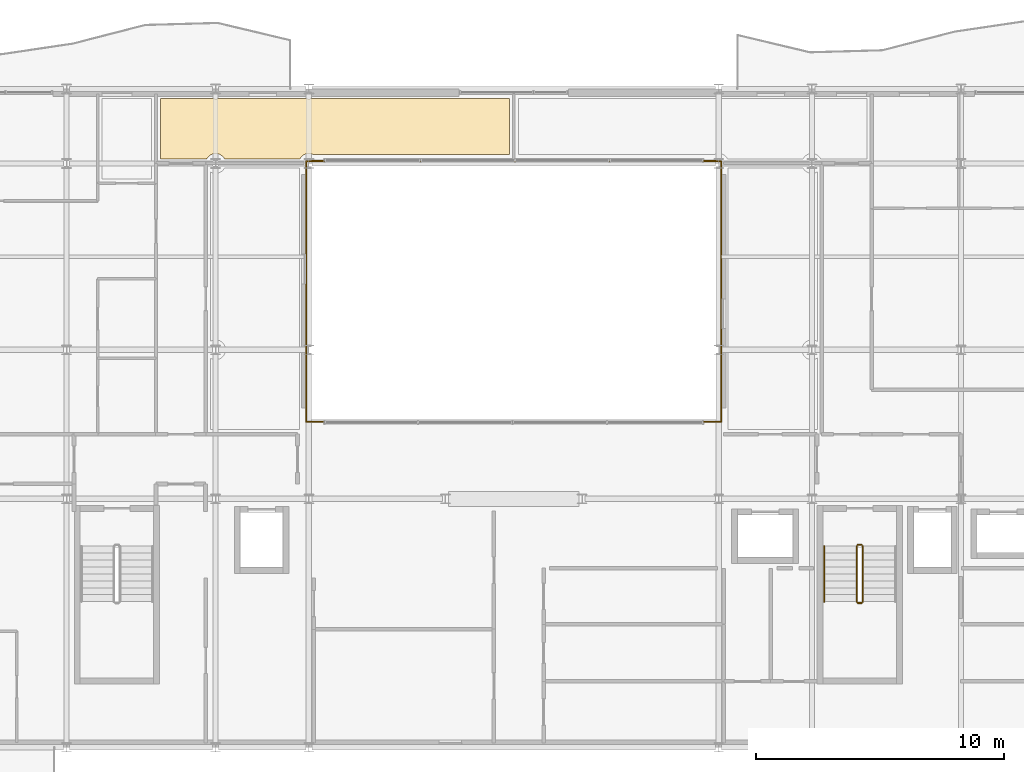
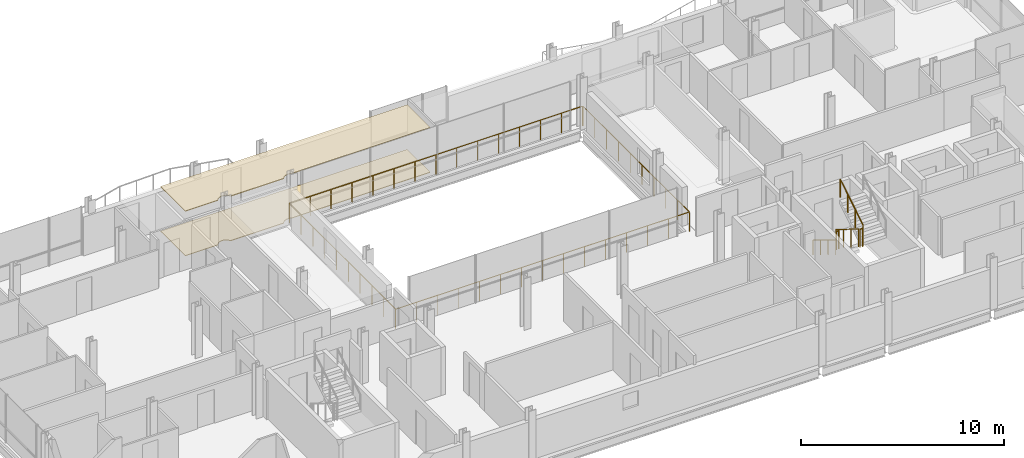
# One storey, part 34 of 35: 7 railings, 2 coverings.
"""IFC4 building model written with IfcOpenShell, lengths in metres."""

from ifc_helpers import new_model, si_unit, direction, frame, origin, origin_2d, place, context, subcontext, project, spatial, polyline, circle, outline, extrude, material, layer, layer_set, type_object, element, save


model = new_model("IFC4")

# Units and contexts
model_context = context("Model", 3, precision=1e-05, world=origin(), true_north=direction((0.0, 1.0)))
body_context = subcontext(model_context, "Body", "Model", "MODEL_VIEW")
ifc_project = project(units=[si_unit("LENGTHUNIT", "METRE"), si_unit("AREAUNIT", "SQUARE_METRE"), si_unit("VOLUMEUNIT", "CUBIC_METRE"), si_unit("PLANEANGLEUNIT", "RADIAN"), si_unit("MASSUNIT", "GRAM", prefix="KILO")], contexts=[model_context])

# Site, building, storey
site_placement = place(None, origin())
site = spatial("IfcSite", under=ifc_project, at=site_placement, CompositionType="ELEMENT")
building_placement = place(site_placement, origin())
building = spatial("IfcBuilding", under=site, at=building_placement, Name="Brevholm Reach", CompositionType="ELEMENT")
storey_placement = place(building_placement, frame((0.0, 0.0, 183.199951171875)))
storey = spatial("IfcBuildingStorey", under=building, at=storey_placement, Name="L55", CompositionType="ELEMENT", Elevation=183.199951171875)

# Coverings
ifc_material_1 = material(Name="Perforated Mineral-Fibre Class-A Acoustic Suspended Ceiling", Category="gypsum")
ifc_layer_1 = layer(ifc_material_1, 0.044921875)
ifc_layer_set_1 = layer_set([ifc_layer_1], Name="Perforated Mineral-Fibre Class-A Acoustic Suspended Ceiling")
covering_type_1 = type_object("IfcCoveringType", Name="COV-CLG-AC", PredefinedType="CEILING", material=ifc_layer_set_1)
covering_1_placement = place(storey_placement, frame((0.0, 0.0, 2.675048828125)))
element("IfcCovering", 1, at=covering_1_placement, inside=storey, type_object=covering_type_1, Name="L55 Suspended Ceiling L55-55", PredefinedType="CEILING", context=body_context, shape_type="SweptSolid", body=[
    extrude(outline(polyline([(17.876220703125, 26.1201171875), (17.8837890625, 26.1171875), (17.922119140625, 26.107666015625), (17.960693359375, 26.101806640625), (18.0, 26.10009765625), (18.039306640625, 26.101806640625), (18.077880859375, 26.107666015625), (18.1162109375, 26.1171875), (18.123779296875, 26.1201171875), (21.626220703125, 26.1201171875), (21.6337890625, 26.1171875), (21.672119140625, 26.107666015625), (21.710693359375, 26.101806640625), (21.75, 26.10009765625), (21.789306640625, 26.101806640625), (21.827880859375, 26.107666015625), (21.8662109375, 26.1171875), (21.873779296875, 26.1201171875), (29.820068359375, 26.1201171875), (29.820068359375, 23.860107421875), (21.92333984375, 23.860107421875), (21.903076171875, 23.86962890625), (21.8662109375, 23.8828125), (21.827880859375, 23.892333984375), (21.789306640625, 23.898193359375), (21.75, 23.89990234375), (21.710693359375, 23.898193359375), (21.672119140625, 23.892333984375), (21.6337890625, 23.8828125), (21.596923828125, 23.86962890625), (21.561279296875, 23.852783203125), (21.52783203125, 23.83251953125), (21.49609375, 23.80908203125), (21.46728515625, 23.78271484375), (21.44091796875, 23.75390625), (21.41748046875, 23.72216796875), (21.397216796875, 23.688720703125), (21.39501953125, 23.68408203125), (18.35498046875, 23.68408203125), (18.352783203125, 23.688720703125), (18.33251953125, 23.72216796875), (18.30908203125, 23.75390625), (18.28271484375, 23.78271484375), (18.25390625, 23.80908203125), (18.22216796875, 23.83251953125), (18.188720703125, 23.852783203125), (18.153076171875, 23.86962890625), (18.1162109375, 23.8828125), (18.077880859375, 23.892333984375), (18.039306640625, 23.898193359375), (18.0, 23.89990234375), (17.960693359375, 23.898193359375), (17.922119140625, 23.892333984375), (17.8837890625, 23.8828125), (17.846923828125, 23.86962890625), (17.811279296875, 23.852783203125), (17.77783203125, 23.83251953125), (17.74609375, 23.80908203125), (17.71728515625, 23.78271484375), (17.69091796875, 23.75390625), (17.66748046875, 23.72216796875), (17.647216796875, 23.688720703125), (17.64501953125, 23.68408203125), (15.783935546875, 23.68408203125), (15.783935546875, 26.1201171875), (17.876220703125, 26.1201171875)])), origin(), (0.0, 0.0, 1.0), 0.044921875),
])
ifc_material_2 = material(Name="Honed Portland-Aggregate Resin Terrazzo Flooring", Category="concrete")
ifc_layer_2 = layer(ifc_material_2, 0.031982421875)
ifc_layer_set_2 = layer_set([ifc_layer_2], Name="Honed Portland-Aggregate Resin Terrazzo Flooring")
covering_type_2 = type_object("IfcCoveringType", Name="COV-FLR-TRZ", PredefinedType="FLOORING", material=ifc_layer_set_2)
covering_2_placement = place(storey_placement, origin())
element("IfcCovering", 2, at=covering_2_placement, inside=storey, type_object=covering_type_2, Name="L55 Floor Finish L55-55", PredefinedType="FLOORING", context=body_context, shape_type="SweptSolid", body=[
    extrude(outline(polyline([(17.876220703125, 26.1201171875), (17.8837890625, 26.1171875), (17.922119140625, 26.107666015625), (17.960693359375, 26.101806640625), (18.0, 26.10009765625), (18.039306640625, 26.101806640625), (18.077880859375, 26.107666015625), (18.1162109375, 26.1171875), (18.123779296875, 26.1201171875), (21.626220703125, 26.1201171875), (21.6337890625, 26.1171875), (21.672119140625, 26.107666015625), (21.710693359375, 26.101806640625), (21.75, 26.10009765625), (21.789306640625, 26.101806640625), (21.827880859375, 26.107666015625), (21.8662109375, 26.1171875), (21.873779296875, 26.1201171875), (29.820068359375, 26.1201171875), (29.820068359375, 23.860107421875), (21.92333984375, 23.860107421875), (21.903076171875, 23.86962890625), (21.8662109375, 23.8828125), (21.827880859375, 23.892333984375), (21.789306640625, 23.898193359375), (21.75, 23.89990234375), (21.710693359375, 23.898193359375), (21.672119140625, 23.892333984375), (21.6337890625, 23.8828125), (21.596923828125, 23.86962890625), (21.561279296875, 23.852783203125), (21.52783203125, 23.83251953125), (21.49609375, 23.80908203125), (21.46728515625, 23.78271484375), (21.44091796875, 23.75390625), (21.41748046875, 23.72216796875), (21.397216796875, 23.688720703125), (21.39501953125, 23.68408203125), (18.35498046875, 23.68408203125), (18.352783203125, 23.688720703125), (18.33251953125, 23.72216796875), (18.30908203125, 23.75390625), (18.28271484375, 23.78271484375), (18.25390625, 23.80908203125), (18.22216796875, 23.83251953125), (18.188720703125, 23.852783203125), (18.153076171875, 23.86962890625), (18.1162109375, 23.8828125), (18.077880859375, 23.892333984375), (18.039306640625, 23.898193359375), (18.0, 23.89990234375), (17.960693359375, 23.898193359375), (17.922119140625, 23.892333984375), (17.8837890625, 23.8828125), (17.846923828125, 23.86962890625), (17.811279296875, 23.852783203125), (17.77783203125, 23.83251953125), (17.74609375, 23.80908203125), (17.71728515625, 23.78271484375), (17.69091796875, 23.75390625), (17.66748046875, 23.72216796875), (17.647216796875, 23.688720703125), (17.64501953125, 23.68408203125), (15.783935546875, 23.68408203125), (15.783935546875, 26.1201171875), (17.876220703125, 26.1201171875)])), origin(), (0.0, 0.0, 1.0), 0.031982421875),
])

# Railings
ifc_material_3 = material(Name="Brushed Stainless Steel EN 1.4401 Continuous Handrail", Category="steel")
railing_type_1 = type_object("IfcRailingType", Name="RAL-HND-950", PredefinedType="HANDRAIL", material=ifc_material_3)
railing_1_placement = place(storey_placement, frame((42.5, 8.10009765625, 0.17236328125)))
element("IfcRailing", 3, at=railing_1_placement, inside=storey, type_object=railing_type_1, Name="L55 ST-2 stair handrail 1", PredefinedType="HANDRAIL", context=body_context, shape_type="SweptSolid", body=[
    extrude(circle(Radius=0.02392578125, at=origin_2d()), frame((0.0, 0.0, 0.8857421875), z_axis=(0.0, -0.85178898068, 0.523885037382), x_axis=(1.0, 0.0, 0.0)), (0.0, 0.0, 1.0), 2.629638671875),
    extrude(circle(Radius=0.02099609375, at=origin_2d()), origin(), (0.0, 0.0, 1.0), 0.86181640625),
    extrude(circle(Radius=0.02099609375, at=origin_2d()), frame((0.0, -0.74658203125, 0.459228515625)), (0.0, 0.0, 1.0), 0.86181640625),
    extrude(circle(Radius=0.02099609375, at=origin_2d()), frame((0.0, -1.493408203125, 0.91845703125)), (0.0, 0.0, 1.0), 0.86181640625),
    extrude(circle(Radius=0.02099609375, at=origin_2d()), frame((0.0, -2.239990234375, 1.377685546875)), (0.0, 0.0, 1.0), 0.86181640625),
])
ifc_material_4 = material(Name="Painted Tubular Galvanised Steel S275JR Stair Guard", Category="steel")
railing_type_2 = type_object("IfcRailingType", Name="RAL-STG-1120", PredefinedType="BALUSTRADE", material=ifc_material_4)
railing_2_placement = place(storey_placement, frame((43.800048828125, 8.10009765625, 0.17236328125)))
element("IfcRailing", 4, at=railing_2_placement, inside=storey, type_object=railing_type_2, Name="L55 ST-2 stair guard 1", PredefinedType="BALUSTRADE", context=body_context, shape_type="SweptSolid", body=[
    extrude(circle(Radius=0.02392578125, at=origin_2d()), frame((0.0, 0.0, 1.076171875), z_axis=(0.0, -0.85178898068, 0.523885037382), x_axis=(1.0, 0.0, 0.0)), (0.0, 0.0, 1.0), 2.629638671875),
    extrude(circle(Radius=0.02099609375, at=origin_2d()), origin(), (0.0, 0.0, 1.0), 1.052001953125),
    extrude(circle(Radius=0.02099609375, at=origin_2d()), frame((0.0, -0.74658203125, 0.459228515625)), (0.0, 0.0, 1.0), 1.052001953125),
    extrude(circle(Radius=0.02099609375, at=origin_2d()), frame((0.0, -1.493408203125, 0.91845703125)), (0.0, 0.0, 1.0), 1.052001953125),
    extrude(circle(Radius=0.02099609375, at=origin_2d()), frame((0.0, -2.239990234375, 1.377685546875)), (0.0, 0.0, 1.0), 1.052001953125),
])
railing_3_placement = place(storey_placement, frame((43.85009765625, 5.81005859375, 1.550048828125)))
element("IfcRailing", 5, at=railing_3_placement, inside=storey, type_object=railing_type_2, Name="L55 ST-2 stair guard 2", PredefinedType="BALUSTRADE", context=body_context, shape_type="SweptSolid", body=[
    extrude(circle(Radius=0.02392578125, at=origin_2d()), frame((0.0, 0.0, 1.076171875), z_axis=(1.0, 0.0, 0.0), x_axis=(0.0, 1.0, 0.0)), (0.0, 0.0, 1.0), 0.14990234375),
    extrude(circle(Radius=0.02099609375, at=origin_2d()), origin(), (0.0, 0.0, 1.0), 1.052001953125),
    extrude(circle(Radius=0.02099609375, at=origin_2d()), frame((0.14990234375, 0.0, 0.0)), (0.0, 0.0, 1.0), 1.052001953125),
])
railing_4_placement = place(storey_placement, frame((44.050048828125, 5.860107421875, 1.72216796875)))
element("IfcRailing", 6, at=railing_4_placement, inside=storey, type_object=railing_type_2, Name="L55 ST-2 stair guard 3", PredefinedType="BALUSTRADE", context=body_context, shape_type="SweptSolid", body=[
    extrude(circle(Radius=0.02392578125, at=origin_2d()), frame((0.0, 0.0, 1.076171875), z_axis=(0.0, 0.851747552033, 0.523952390591), x_axis=(-1.0, 0.0, 0.0)), (0.0, 0.0, 1.0), 2.6298828125),
    extrude(circle(Radius=0.02099609375, at=origin_2d()), origin(), (0.0, 0.0, 1.0), 1.052001953125),
    extrude(circle(Radius=0.02099609375, at=origin_2d()), frame((0.0, 0.74658203125, 0.459228515625)), (0.0, 0.0, 1.0), 1.052001953125),
    extrude(circle(Radius=0.02099609375, at=origin_2d()), frame((0.0, 1.493408203125, 0.918701171875)), (0.0, 0.0, 1.0), 1.052001953125),
    extrude(circle(Radius=0.02099609375, at=origin_2d()), frame((0.0, 2.239990234375, 1.3779296875)), (0.0, 0.0, 1.0), 1.052001953125),
])
railing_5_placement = place(storey_placement, frame((43.85009765625, 8.14990234375, 0.0)))
element("IfcRailing", 7, at=railing_5_placement, inside=storey, type_object=railing_type_2, Name="L55 ST-2 stair guard 4", PredefinedType="BALUSTRADE", context=body_context, shape_type="SweptSolid", body=[
    extrude(circle(Radius=0.02392578125, at=origin_2d()), frame((0.0, 0.0, 1.076171875), z_axis=(1.0, 0.0, 0.0), x_axis=(0.0, 1.0, 0.0)), (0.0, 0.0, 1.0), 0.14990234375),
    extrude(circle(Radius=0.02099609375, at=origin_2d()), origin(), (0.0, 0.0, 1.0), 1.052001953125),
    extrude(circle(Radius=0.02099609375, at=origin_2d()), frame((0.14990234375, 0.0, 0.0)), (0.0, 0.0, 1.0), 1.052001953125),
])
ifc_material_5 = material(Name="Brushed Stainless Steel EN 1.4401 and Laminated Glass", Category="steel")
railing_type_3 = type_object("IfcRailingType", Name="RAL-TERR-1200", PredefinedType="BALUSTRADE", material=ifc_material_5)
railing_6_placement = place(storey_placement, frame((21.64990234375, 13.10009765625, 0.0)))
element("IfcRailing", 8, at=railing_6_placement, inside=storey, type_object=railing_type_3, Name="L55 Guard Balustrade RAL-L55-AT-VOID-SW", PredefinedType="BALUSTRADE", context=body_context, shape_type="SweptSolid", body=[
    extrude(circle(Radius=0.02392578125, at=origin_2d()), frame((0.0, 0.0, 1.17578125), z_axis=(1.0, 0.0, 0.0), x_axis=(0.0, 1.0, 0.0)), (0.0, 0.0, 1.0), 16.7001953125),
    extrude(circle(Radius=0.02392578125, at=origin_2d()), frame((16.7001953125, 0.0, 1.17578125), z_axis=(0.0, 1.0, 0.0), x_axis=(-1.0, 0.0, 0.0)), (0.0, 0.0, 1.0), 10.47998046875),
    extrude(circle(Radius=0.02099609375, at=origin_2d()), origin(), (0.0, 0.0, 1.0), 1.15185546875),
    extrude(circle(Radius=0.02099609375, at=origin_2d()), frame((1.19287109375, 0.0, 0.0)), (0.0, 0.0, 1.0), 1.15185546875),
    extrude(circle(Radius=0.02099609375, at=origin_2d()), frame((2.3857421875, 0.0, 0.0)), (0.0, 0.0, 1.0), 1.15185546875),
    extrude(circle(Radius=0.02099609375, at=origin_2d()), frame((3.57861328125, 0.0, 0.0)), (0.0, 0.0, 1.0), 1.15185546875),
    extrude(circle(Radius=0.02099609375, at=origin_2d()), frame((4.771484375, 0.0, 0.0)), (0.0, 0.0, 1.0), 1.15185546875),
    extrude(circle(Radius=0.02099609375, at=origin_2d()), frame((5.96435546875, 0.0, 0.0)), (0.0, 0.0, 1.0), 1.15185546875),
    extrude(circle(Radius=0.02099609375, at=origin_2d()), frame((7.1572265625, 0.0, 0.0)), (0.0, 0.0, 1.0), 1.15185546875),
    extrude(circle(Radius=0.02099609375, at=origin_2d()), frame((8.35009765625, 0.0, 0.0)), (0.0, 0.0, 1.0), 1.15185546875),
    extrude(circle(Radius=0.02099609375, at=origin_2d()), frame((9.54296875, 0.0, 0.0)), (0.0, 0.0, 1.0), 1.15185546875),
    extrude(circle(Radius=0.02099609375, at=origin_2d()), frame((10.73583984375, 0.0, 0.0)), (0.0, 0.0, 1.0), 1.15185546875),
    extrude(circle(Radius=0.02099609375, at=origin_2d()), frame((11.9287109375, 0.0, 0.0)), (0.0, 0.0, 1.0), 1.15185546875),
    extrude(circle(Radius=0.02099609375, at=origin_2d()), frame((13.12158203125, 0.0, 0.0)), (0.0, 0.0, 1.0), 1.15185546875),
    extrude(circle(Radius=0.02099609375, at=origin_2d()), frame((14.314453125, 0.0, 0.0)), (0.0, 0.0, 1.0), 1.15185546875),
    extrude(circle(Radius=0.02099609375, at=origin_2d()), frame((15.50732421875, 0.0, 0.0)), (0.0, 0.0, 1.0), 1.15185546875),
    extrude(circle(Radius=0.02099609375, at=origin_2d()), frame((16.7001953125, 0.0, 0.0)), (0.0, 0.0, 1.0), 1.15185546875),
    extrude(circle(Radius=0.02099609375, at=origin_2d()), frame((16.7001953125, 1.16455078125, 0.0)), (0.0, 0.0, 1.0), 1.15185546875),
    extrude(circle(Radius=0.02099609375, at=origin_2d()), frame((16.7001953125, 2.328857421875, 0.0)), (0.0, 0.0, 1.0), 1.15185546875),
    extrude(circle(Radius=0.02099609375, at=origin_2d()), frame((16.7001953125, 3.493408203125, 0.0)), (0.0, 0.0, 1.0), 1.15185546875),
    extrude(circle(Radius=0.02099609375, at=origin_2d()), frame((16.7001953125, 4.65771484375, 0.0)), (0.0, 0.0, 1.0), 1.15185546875),
    extrude(circle(Radius=0.02099609375, at=origin_2d()), frame((16.7001953125, 5.822265625, 0.0)), (0.0, 0.0, 1.0), 1.15185546875),
    extrude(circle(Radius=0.02099609375, at=origin_2d()), frame((16.7001953125, 6.986572265625, 0.0)), (0.0, 0.0, 1.0), 1.15185546875),
    extrude(circle(Radius=0.02099609375, at=origin_2d()), frame((16.7001953125, 8.151123046875, 0.0)), (0.0, 0.0, 1.0), 1.15185546875),
    extrude(circle(Radius=0.02099609375, at=origin_2d()), frame((16.7001953125, 9.3154296875, 0.0)), (0.0, 0.0, 1.0), 1.15185546875),
    extrude(circle(Radius=0.02099609375, at=origin_2d()), frame((16.7001953125, 10.47998046875, 0.0)), (0.0, 0.0, 1.0), 1.15185546875),
])
railing_7_placement = place(storey_placement, frame((38.330078125, 23.60009765625, 0.0)))
element("IfcRailing", 9, at=railing_7_placement, inside=storey, type_object=railing_type_3, Name="L55 Guard Balustrade RAL-L55-AT-VOID-NE", PredefinedType="BALUSTRADE", context=body_context, shape_type="SweptSolid", body=[
    extrude(circle(Radius=0.02392578125, at=origin_2d()), frame((0.0, 0.0, 1.17578125), z_axis=(-1.0, 0.0, 0.0), x_axis=(0.0, -1.0, 0.0)), (0.0, 0.0, 1.0), 16.68017578125),
    extrude(circle(Radius=0.02392578125, at=origin_2d()), frame((-16.68017578125, 0.0, 1.17578125), z_axis=(0.0, -1.0, 0.0), x_axis=(1.0, 0.0, 0.0)), (0.0, 0.0, 1.0), 10.47998046875),
    extrude(circle(Radius=0.02099609375, at=origin_2d()), origin(), (0.0, 0.0, 1.0), 1.15185546875),
    extrude(circle(Radius=0.02099609375, at=origin_2d()), frame((-1.19140625, 0.0, 0.0)), (0.0, 0.0, 1.0), 1.15185546875),
    extrude(circle(Radius=0.02099609375, at=origin_2d()), frame((-2.3828125, 0.0, 0.0)), (0.0, 0.0, 1.0), 1.15185546875),
    extrude(circle(Radius=0.02099609375, at=origin_2d()), frame((-3.57421875, 0.0, 0.0)), (0.0, 0.0, 1.0), 1.15185546875),
    extrude(circle(Radius=0.02099609375, at=origin_2d()), frame((-4.765869140625, 0.0, 0.0)), (0.0, 0.0, 1.0), 1.15185546875),
    extrude(circle(Radius=0.02099609375, at=origin_2d()), frame((-5.957275390625, 0.0, 0.0)), (0.0, 0.0, 1.0), 1.15185546875),
    extrude(circle(Radius=0.02099609375, at=origin_2d()), frame((-7.148681640625, 0.0, 0.0)), (0.0, 0.0, 1.0), 1.15185546875),
    extrude(circle(Radius=0.02099609375, at=origin_2d()), frame((-8.340087890625, 0.0, 0.0)), (0.0, 0.0, 1.0), 1.15185546875),
    extrude(circle(Radius=0.02099609375, at=origin_2d()), frame((-9.531494140625, 0.0, 0.0)), (0.0, 0.0, 1.0), 1.15185546875),
    extrude(circle(Radius=0.02099609375, at=origin_2d()), frame((-10.722900390625, 0.0, 0.0)), (0.0, 0.0, 1.0), 1.15185546875),
    extrude(circle(Radius=0.02099609375, at=origin_2d()), frame((-11.914306640625, 0.0, 0.0)), (0.0, 0.0, 1.0), 1.15185546875),
    extrude(circle(Radius=0.02099609375, at=origin_2d()), frame((-13.10595703125, 0.0, 0.0)), (0.0, 0.0, 1.0), 1.15185546875),
    extrude(circle(Radius=0.02099609375, at=origin_2d()), frame((-14.29736328125, 0.0, 0.0)), (0.0, 0.0, 1.0), 1.15185546875),
    extrude(circle(Radius=0.02099609375, at=origin_2d()), frame((-15.48876953125, 0.0, 0.0)), (0.0, 0.0, 1.0), 1.15185546875),
    extrude(circle(Radius=0.02099609375, at=origin_2d()), frame((-16.68017578125, 0.0, 0.0)), (0.0, 0.0, 1.0), 1.15185546875),
    extrude(circle(Radius=0.02099609375, at=origin_2d()), frame((-16.68017578125, -1.16455078125, 0.0)), (0.0, 0.0, 1.0), 1.15185546875),
    extrude(circle(Radius=0.02099609375, at=origin_2d()), frame((-16.68017578125, -2.328857421875, 0.0)), (0.0, 0.0, 1.0), 1.15185546875),
    extrude(circle(Radius=0.02099609375, at=origin_2d()), frame((-16.68017578125, -3.493408203125, 0.0)), (0.0, 0.0, 1.0), 1.15185546875),
    extrude(circle(Radius=0.02099609375, at=origin_2d()), frame((-16.68017578125, -4.65771484375, 0.0)), (0.0, 0.0, 1.0), 1.15185546875),
    extrude(circle(Radius=0.02099609375, at=origin_2d()), frame((-16.68017578125, -5.822265625, 0.0)), (0.0, 0.0, 1.0), 1.15185546875),
    extrude(circle(Radius=0.02099609375, at=origin_2d()), frame((-16.68017578125, -6.986572265625, 0.0)), (0.0, 0.0, 1.0), 1.15185546875),
    extrude(circle(Radius=0.02099609375, at=origin_2d()), frame((-16.68017578125, -8.151123046875, 0.0)), (0.0, 0.0, 1.0), 1.15185546875),
    extrude(circle(Radius=0.02099609375, at=origin_2d()), frame((-16.68017578125, -9.3154296875, 0.0)), (0.0, 0.0, 1.0), 1.15185546875),
    extrude(circle(Radius=0.02099609375, at=origin_2d()), frame((-16.68017578125, -10.47998046875, 0.0)), (0.0, 0.0, 1.0), 1.15185546875),
])

save(model, "model.ifc")
